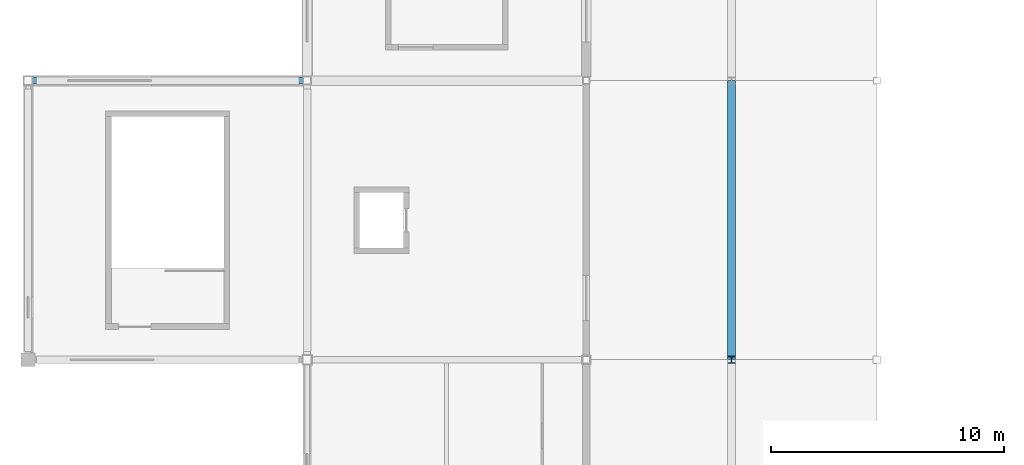
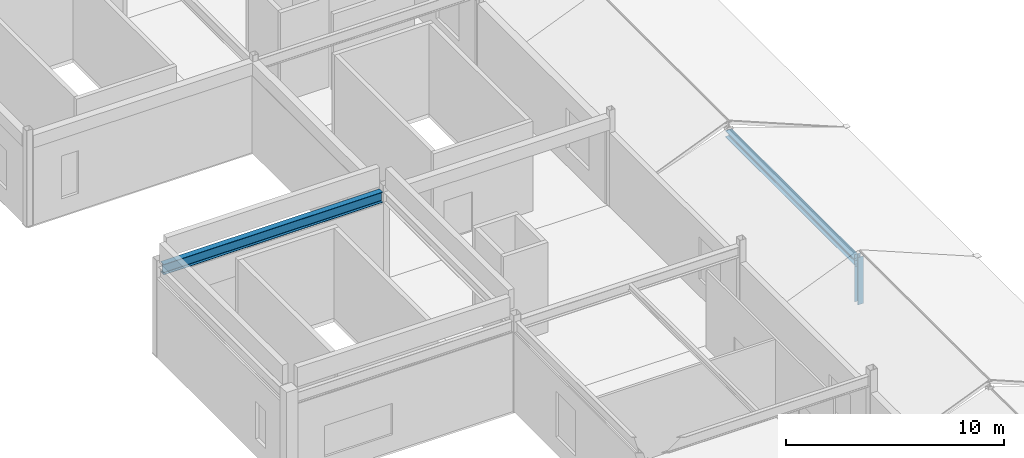
# One storey, part 30 of 76: 2 members, 1 beam.
"""IFC4 building model written with IfcOpenShell, lengths in metres."""

from ifc_helpers import new_model, si_unit, direction, frame, origin, origin_2d, place, context, subcontext, project, spatial, i_section, extrude, material, material_profile, profile_set, type_object, element, save


model = new_model("IFC4")

# Units and contexts
model_context = context("Model", 3, precision=1e-05, world=origin(), true_north=direction((0.0, 1.0)))
body_context = subcontext(model_context, "Body", "Model", "MODEL_VIEW")
ifc_project = project(units=[si_unit("LENGTHUNIT", "METRE"), si_unit("AREAUNIT", "SQUARE_METRE"), si_unit("VOLUMEUNIT", "CUBIC_METRE"), si_unit("PLANEANGLEUNIT", "RADIAN"), si_unit("MASSUNIT", "GRAM", prefix="KILO")], contexts=[model_context])

# Site, building, storey
site_placement = place(None, origin())
site = spatial("IfcSite", under=ifc_project, at=site_placement, CompositionType="ELEMENT")
building_placement = place(site_placement, origin())
building = spatial("IfcBuilding", under=site, at=building_placement, Name="Kazenohara Klinker Stadium", CompositionType="ELEMENT")
storey_placement = place(building_placement, frame((0.0, 0.0, 25.800048828125)))
storey = spatial("IfcBuildingStorey", under=building, at=storey_placement, Name="L05", CompositionType="ELEMENT", Elevation=25.800048828125)

# Beam
ifc_material = material(Name="Steel S355", Category="steel")
ifc_material_profile_1 = material_profile(ifc_material, i_section(OverallWidth=0.300048828125, OverallDepth=0.587890625, WebThickness=0.011962890625, FlangeThickness=0.02001953125, FilletRadius=0.02197265625, at=origin_2d()), Name="H-588x300x12x20")
ifc_profile_set_1 = profile_set([ifc_material_profile_1], Name="Steel S355")
beam_type = type_object("IfcBeamType", Name="BM-ST05", PredefinedType="BEAM", material=ifc_profile_set_1)
beam_placement = place(storey_placement, frame((0.199951171875, 96.0, 4.745849609375), z_axis=(1.0, 0.0, 0.0), x_axis=(0.0, 1.0, 0.0)))
element("IfcBeam", 1, at=beam_placement, inside=storey, type_object=beam_type, Name="Primary girder SB05 L05 1-2/J", PredefinedType="BEAM", context=body_context, shape_type="SweptSolid", body=[
    extrude(i_section(OverallWidth=0.300048828125, OverallDepth=0.587890625, WebThickness=0.011962890625, FlangeThickness=0.02001953125, FilletRadius=0.02197265625, at=origin_2d()), origin(), (0.0, 0.0, 1.0), 11.625),
])

# Members
ifc_material_profile_2 = material_profile(ifc_material, i_section(OverallWidth=0.35009765625, OverallDepth=0.35009765625, WebThickness=0.011962890625, FlangeThickness=0.01904296875, FilletRadius=0.012939453125, at=origin_2d()), Name="H-350x350x12x19")
ifc_profile_set_2 = profile_set([ifc_material_profile_2], Name="Steel S355")
member_type_1 = type_object("IfcMemberType", Name="MEM-CHD02", PredefinedType="CHORD", material=ifc_profile_set_2)
member_1_placement = place(storey_placement, frame((30.25, 84.0, 1.829833984375), z_axis=(0.0, 1.0, 0.0), x_axis=(-1.0, 0.0, 0.0)))
element("IfcMember", 2, at=member_1_placement, inside=storey, type_object=member_type_1, Name="Stepped pavilion gable ridge beam L05 3/H", PredefinedType="CHORD", context=body_context, shape_type="SweptSolid", body=[
    extrude(i_section(OverallWidth=0.35009765625, OverallDepth=0.35009765625, WebThickness=0.011962890625, FlangeThickness=0.01904296875, FilletRadius=0.012939453125, at=origin_2d()), origin(), (0.0, 0.0, 1.0), 12.0),
])
ifc_material_profile_3 = material_profile(ifc_material, i_section(OverallWidth=0.300048828125, OverallDepth=0.300048828125, WebThickness=0.010009765625, FlangeThickness=0.014892578125, FilletRadius=0.012939453125, at=origin_2d()), Name="H-300x300x10x15")
ifc_profile_set_3 = profile_set([ifc_material_profile_3], Name="Steel S355")
member_type_2 = type_object("IfcMemberType", Name="MEM-STR01", PredefinedType="STRUT", material=ifc_profile_set_3)
member_2_placement = place(storey_placement, frame((30.25, 84.0, -0.429931640625), z_axis=(0.0, 0.0, 1.0), x_axis=(1.0, 0.0, 0.0)))
element("IfcMember", 3, at=member_2_placement, inside=storey, type_object=member_type_2, Name="Stepped pavilion gable king-post L05 3/G N", PredefinedType="STRUT", context=body_context, shape_type="SweptSolid", body=[
    extrude(i_section(OverallWidth=0.300048828125, OverallDepth=0.300048828125, WebThickness=0.010009765625, FlangeThickness=0.014892578125, FilletRadius=0.012939453125, at=origin_2d()), origin(), (0.0, 0.0, 1.0), 2.659912109375),
])

save(model, "model.ifc")
